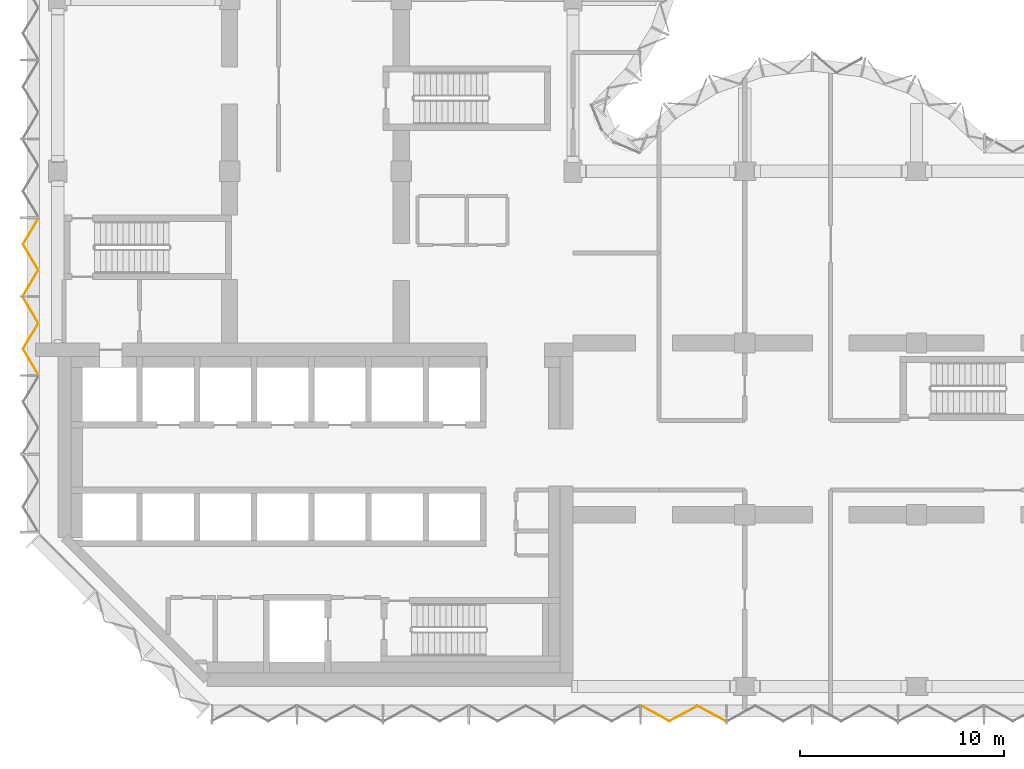
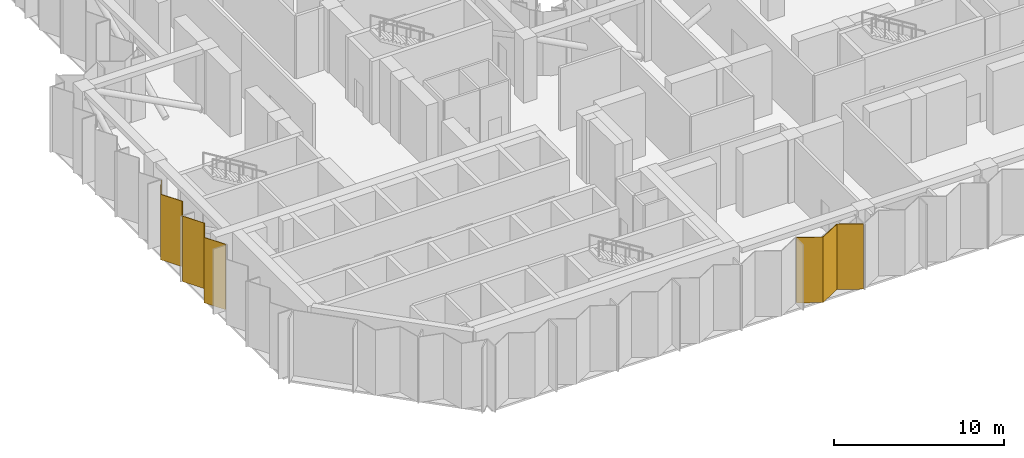
# One storey, part 10 of 13: 3 coverings, 2 elements without a shape of their own.
"""IFC4 building model written with IfcOpenShell, lengths in metres."""

from ifc_helpers import new_model, si_unit, direction, frame, origin, place, context, subcontext, project, spatial, polyline, outline, extrude, material, layer, layer_set, type_object, element, aggregate, save


model = new_model("IFC4")

# Units and contexts
model_context = context("Model", 3, precision=1e-05, world=origin(), true_north=direction((0.0, 1.0)))
body_context = subcontext(model_context, "Body", "Model", "MODEL_VIEW")
ifc_project = project(units=[si_unit("LENGTHUNIT", "METRE"), si_unit("AREAUNIT", "SQUARE_METRE"), si_unit("VOLUMEUNIT", "CUBIC_METRE"), si_unit("PLANEANGLEUNIT", "RADIAN"), si_unit("MASSUNIT", "GRAM", prefix="KILO")], contexts=[model_context])

# Site, building, storey
site_placement = place(None, origin())
site = spatial("IfcSite", under=ifc_project, at=site_placement, CompositionType="ELEMENT")
building_placement = place(site_placement, origin())
building = spatial("IfcBuilding", under=site, at=building_placement, Name="Brevane Broadcast Tower", CompositionType="ELEMENT")
storey_placement = place(building_placement, frame((0.0, 0.0, 162.0)))
storey = spatial("IfcBuildingStorey", under=building, at=storey_placement, Name="L40", CompositionType="ELEMENT", Elevation=162.0)

# Curtain wall, covering
ifc_material_1 = material(Name="Aluminium 6063-T6 bronze anodised", Category="aluminium")
curtain_wall_type = type_object("IfcCurtainWallType", Name="CW-3 curtain wall", PredefinedType="NOTDEFINED", material=ifc_material_1)
curtain_wall_1_placement = place(storey_placement, origin())
curtain_wall_1 = element("IfcCurtainWall", 1, at=curtain_wall_1_placement, inside=storey, type_object=curtain_wall_type, Name="CW-3 refuge louvre unit L40 south face", PredefinedType="NOTDEFINED")
ifc_material_2 = material(Name="Aluminium bronze anodised cladding", Category="aluminium")
ifc_layer = layer(ifc_material_2, 0.050048828125)
ifc_layer_set = layer_set([ifc_layer], Name="CW refuge spandrel 50")
covering_type = type_object("IfcCoveringType", Name="CW refuge spandrel 50", PredefinedType="CLADDING", material=ifc_layer_set)
covering_1_placement = place(storey_placement, frame((0.0, 0.0, -0.159912109375)))
covering_1 = element("IfcCovering", 2, at=covering_1_placement, type_object=covering_type, Name="Refuge cladding panel", PredefinedType="CLADDING", context=body_context, shape_type="SweptSolid", body=[
    extrude(outline(polyline([(28.5400390625, -0.92724609375), (28.5400390625, -0.97265625), (29.913330078125, -1.717041015625), (31.28662109375, -0.97265625), (32.659912109375, -1.717041015625), (32.659912109375, -1.671630859375), (31.28662109375, -0.92724609375), (29.913330078125, -1.671630859375), (28.5400390625, -0.92724609375)])), origin(), (0.0, 0.0, 1.0), 4.7099609375),
])
aggregate(curtain_wall_1, [covering_1])

# Curtain wall, coverings
curtain_wall_2_placement = place(storey_placement, origin())
curtain_wall_2 = element("IfcCurtainWall", 3, at=curtain_wall_2_placement, inside=storey, type_object=curtain_wall_type, Name="CW-3 refuge louvre unit L40 west face", PredefinedType="NOTDEFINED")
covering_2_placement = place(storey_placement, frame((0.0, 0.0, -0.159912109375)))
covering_2 = element("IfcCovering", 4, at=covering_2_placement, type_object=covering_type, Name="Refuge cladding panel", PredefinedType="CLADDING", context=body_context, shape_type="SweptSolid", body=[
    extrude(outline(polyline([(-0.9267578125, 22.888671875), (-0.97314453125, 22.888671875), (-1.717529296875, 21.62939453125), (-0.97314453125, 20.37060546875), (-1.717529296875, 19.111328125), (-1.671142578125, 19.111328125), (-0.9267578125, 20.37060546875), (-1.671142578125, 21.62939453125), (-0.9267578125, 22.888671875)])), origin(), (0.0, 0.0, 1.0), 4.7099609375),
])
covering_3_placement = place(storey_placement, frame((0.0, 0.0, -0.159912109375)))
covering_3 = element("IfcCovering", 5, at=covering_3_placement, type_object=covering_type, Name="Refuge cladding panel", PredefinedType="CLADDING", context=body_context, shape_type="SweptSolid", body=[
    extrude(outline(polyline([(-1.671142578125, 19.031494140625), (-1.717529296875, 19.031494140625), (-0.97314453125, 17.7724609375), (-1.717529296875, 16.51318359375), (-0.97314453125, 15.25439453125), (-0.9267578125, 15.25439453125), (-1.671142578125, 16.51318359375), (-0.9267578125, 17.7724609375), (-1.671142578125, 19.031494140625)])), origin(), (0.0, 0.0, 1.0), 4.7099609375),
])
aggregate(curtain_wall_2, [covering_2, covering_3])

save(model, "model.ifc")
